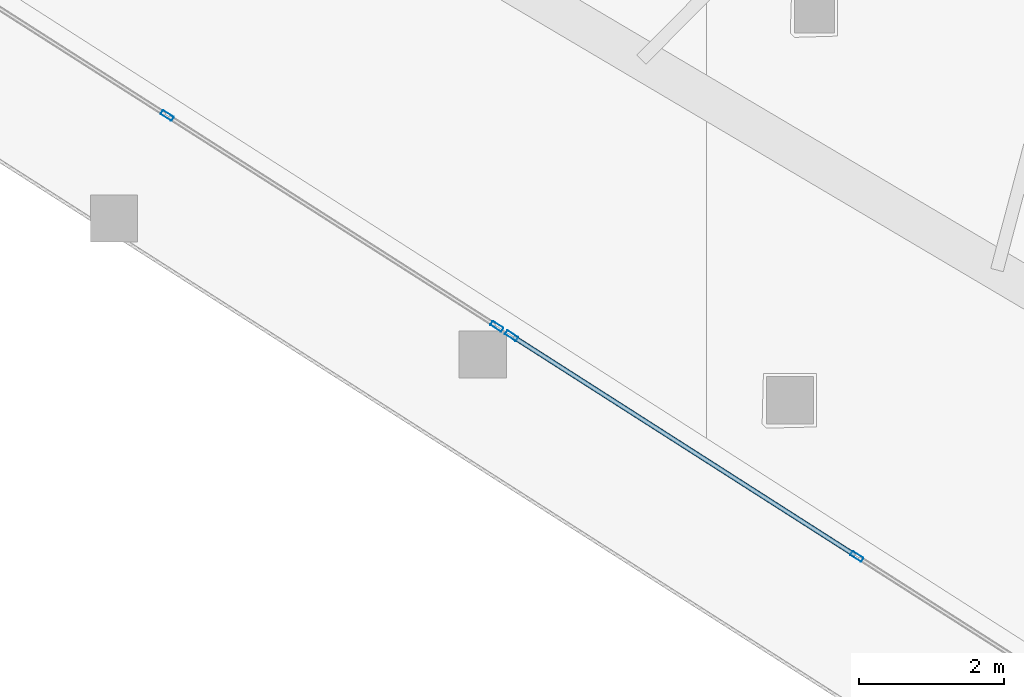
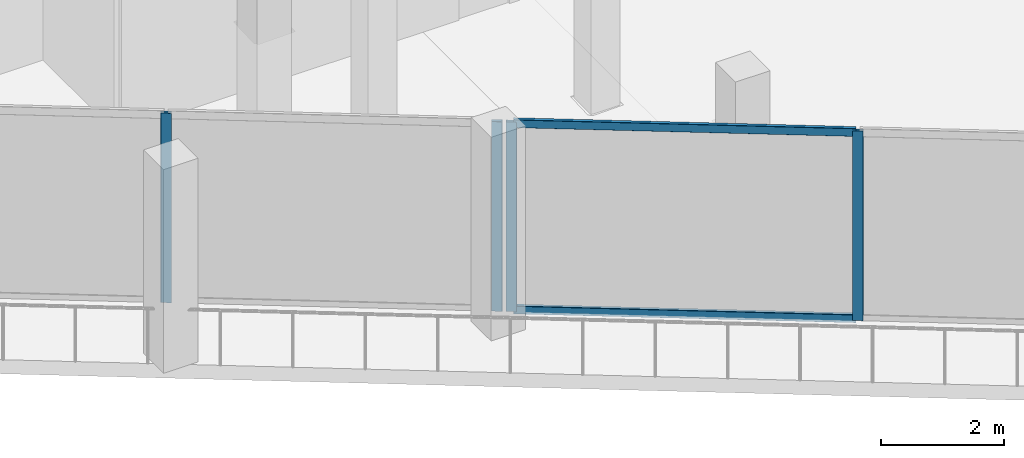
# One storey, part 2 of 42: 6 members, 2 elements without a shape of their own.
"""IFC4 building model written with IfcOpenShell, lengths in metres."""

import ifcopenshell
import ifcopenshell.guid

model = None  # the IFC model being written
_history = None  # IfcOwnerHistory: only IFC2X3 demands one
_inside = {}  # id of a spatial element -> (the spatial element, [elements in it])
_under = {}  # id of a project, library or spatial element -> (it, [spatial elements below it])
_declared = {}  # id of a project -> (the project, [libraries it declares])
_typed = {}  # id of a type object -> (the type object, [elements of that type])
_made_of = {}  # id of a material, layer set ... -> (it, [elements and type objects made of it])


def new_model(schema):
    """Start an empty IFC model of exactly this schema.

    Asked for "IFC4X3", IfcOpenShell would pick the latest addendum, in which some entities
    have other attributes; the version numbers below select the first issue.
    IFC2X3 requires an IfcOwnerHistory on every rooted entity: one is made here for all.
    """
    global model, _history
    if schema == "IFC4X3":
        model = ifcopenshell.file(schema_version=(4, 3, 0, 0))
    else:
        model = ifcopenshell.file(schema=schema)
    _inside.clear()
    _under.clear()
    _declared.clear()
    _typed.clear()
    _made_of.clear()
    _history = None
    if model.schema == "IFC2X3":
        org = make("IfcOrganization", Name="unknown")
        user = make(
            "IfcPersonAndOrganization",
            ThePerson=make("IfcPerson", FamilyName="unknown"),
            TheOrganization=org,
        )
        app = make(
            "IfcApplication",
            ApplicationDeveloper=org,
            Version="unknown",
            ApplicationFullName="unknown",
            ApplicationIdentifier="unknown",
        )
        _history = make(
            "IfcOwnerHistory",
            OwningUser=user,
            OwningApplication=app,
            ChangeAction="ADDED",
            CreationDate=0,
        )
    return model


def make(cls, **values):
    """One entity of the class cls with the attributes given. An attribute that is None is left unset."""
    return model.create_entity(
        cls, **{name: value for name, value in values.items() if value is not None}
    )


def rooted(cls, **values):
    """An entity with a GlobalId (a new one), such as an element, a storey or a relation."""
    return make(cls, GlobalId=ifcopenshell.guid.new(), OwnerHistory=_history, **values)


def si_unit(unit_type, name, prefix=None):
    """IfcSIUnit, for example si_unit("LENGTHUNIT", "METRE", prefix="MILLI")."""
    return make("IfcSIUnit", UnitType=unit_type, Prefix=prefix, Name=name)


def assignment(units):
    """IfcUnitAssignment: the units of a project."""
    return None if units is None else make("IfcUnitAssignment", Units=units)


def point(xyz):
    """IfcCartesianPoint."""
    return None if xyz is None else make("IfcCartesianPoint", Coordinates=xyz)


def direction(xyz):
    """IfcDirection."""
    return None if xyz is None else make("IfcDirection", DirectionRatios=xyz)


def frame(location, z_axis=None, x_axis=None):
    """IfcAxis2Placement3D, a coordinate frame: its origin and axes. An axis left out is left unset."""
    return make(
        "IfcAxis2Placement3D",
        Location=point(location),
        Axis=direction(z_axis),
        RefDirection=direction(x_axis),
    )


def frame_2d(location, x_axis=None):
    """IfcAxis2Placement2D, a coordinate frame in the plane: its origin and x axis."""
    return make(
        "IfcAxis2Placement2D", Location=point(location), RefDirection=direction(x_axis)
    )


def origin():
    """The frame at (0, 0, 0) with its axes left unset."""
    return frame((0.0, 0.0, 0.0))


def origin_2d():
    """The frame at (0, 0) in the plane with its x axis left unset."""
    return frame_2d((0.0, 0.0))


def place(relative_to, where):
    """IfcLocalPlacement: puts the frame where relative to a parent placement (None: the world)."""
    return make(
        "IfcLocalPlacement", PlacementRelTo=relative_to, RelativePlacement=where
    )


def context(
    kind, dimensions, precision=None, world=None, true_north=None, identifier=None
):
    """IfcGeometricRepresentationContext, for example the 3D "Model" context."""
    return make(
        "IfcGeometricRepresentationContext",
        ContextIdentifier=identifier,
        ContextType=kind,
        CoordinateSpaceDimension=dimensions,
        Precision=precision,
        WorldCoordinateSystem=world,
        TrueNorth=true_north,
    )


def subcontext(parent, identifier, kind, view, scale=None):
    """IfcGeometricRepresentationSubContext, for example "Body" below "Model"."""
    return make(
        "IfcGeometricRepresentationSubContext",
        ContextIdentifier=identifier,
        ContextType=kind,
        ParentContext=parent,
        TargetScale=scale,
        TargetView=view,
    )


def project(units=None, contexts=None):
    """IfcProject with its units and contexts."""
    return rooted(
        "IfcProject",
        Name="project",
        RepresentationContexts=contexts,
        UnitsInContext=assignment(units),
    )


def spatial(cls, under=None, at=None, **own):
    """A site, building, storey or space (cls), placed at a placement, below another one or the project."""
    s = rooted(cls, ObjectPlacement=at, **own)
    if under is not None:
        _under.setdefault(under.id(), (under, []))[1].append(s)
    return s


def profile(cls, at=None, kind="AREA", **sizes):
    """A parametric profile (cls). Its sizes go by their IFC names, for example OverallWidth=200.0."""
    return make(cls, ProfileType=kind, Position=at, **sizes)


def hollow_rectangle(**sizes):
    """IfcRectangleHollowProfileDef."""
    return profile("IfcRectangleHollowProfileDef", **sizes)


def extrude(swept, where, along, depth):
    """IfcExtrudedAreaSolid: the profile swept, set in the frame where, extruded along a direction by depth."""
    return make(
        "IfcExtrudedAreaSolid",
        SweptArea=swept,
        Position=where,
        ExtrudedDirection=direction(along),
        Depth=depth,
    )


def shape(context_of_items, identifier, shape_type, items):
    """IfcShapeRepresentation: the items that make up one representation, for example the "Body"."""
    return make(
        "IfcShapeRepresentation",
        ContextOfItems=context_of_items,
        RepresentationIdentifier=identifier,
        RepresentationType=shape_type,
        Items=items,
    )


def material(Name=None, Category=None):
    """IfcMaterial."""
    return make("IfcMaterial", Name=Name, Category=Category)


def layer(
    of_material, thickness, ventilated=None, Name=None, Category=None, Priority=None
):
    """IfcMaterialLayer: one layer of a wall or slab, of a material (None: an air gap)."""
    return make(
        "IfcMaterialLayer",
        Material=of_material,
        LayerThickness=thickness,
        IsVentilated=ventilated,
        Name=Name,
        Category=Category,
        Priority=Priority,
    )


def layer_set(layers, Name=None):
    """IfcMaterialLayerSet."""
    return make("IfcMaterialLayerSet", MaterialLayers=layers, LayerSetName=Name)


def material_profile(
    of_material, cross_section, Name=None, Category=None, Priority=None
):
    """IfcMaterialProfile: a cross section and its material."""
    return make(
        "IfcMaterialProfile",
        Name=Name,
        Material=of_material,
        Profile=cross_section,
        Priority=Priority,
        Category=Category,
    )


def profile_set(profiles, Name=None, composite=None):
    """IfcMaterialProfileSet."""
    return make(
        "IfcMaterialProfileSet",
        Name=Name,
        MaterialProfiles=profiles,
        CompositeProfile=composite,
    )


def made_of(thing, what):
    """Note that an element or type object is made of a material, layer set ...; save() writes the relation."""
    if what is not None:
        _made_of.setdefault(what.id(), (what, []))[1].append(thing)
    return thing


def type_object(cls, material=None, **own):
    """A type object (cls), such as IfcWallType, which elements share."""
    return made_of(rooted(cls, **own), material)


def element(
    cls,
    number,
    at=None,
    inside=None,
    cuts=None,
    type_object=None,
    material=None,
    context=None,
    identifier="Body",
    shape_type=None,
    held_by="IfcProductDefinitionShape",
    body=None,
    shapes=None,
    **own,
):
    """One element of the class cls, such as IfcWall. Its Tag is "e" and its number.

    at: its placement. inside: the storey or other place that contains it. cuts: it is an
    opening in that element (IfcRelVoidsElement). A single representation is given by context,
    identifier, shape_type and body (its items); several are given by shapes. held_by: the class
    of the entity that holds the representations. save() writes the other relations.
    """
    e = rooted(cls, Tag="e%d" % number, ObjectPlacement=at, **own)
    if body is not None:
        shapes = [shape(context, identifier, shape_type, body)]
    if shapes is not None:
        e.Representation = make(held_by, Representations=shapes)
    if inside is not None:
        _inside.setdefault(inside.id(), (inside, []))[1].append(e)
    if cuts is not None:
        rooted(
            "IfcRelVoidsElement", RelatingBuildingElement=cuts, RelatedOpeningElement=e
        )
    if type_object is not None:
        _typed.setdefault(type_object.id(), (type_object, []))[1].append(e)
    return made_of(e, material)


def aggregate(whole, parts):
    """IfcRelAggregates: a whole, such as a stair, and the parts it consists of."""
    return rooted("IfcRelAggregates", RelatingObject=whole, RelatedObjects=parts)


def save(model, path):
    """Write the relations noted so far, then the file.

    IfcRelAggregates (storeys below a building ...), IfcRelContainedInSpatialStructure (elements
    in a storey), IfcRelDefinesByType, IfcRelAssociatesMaterial and IfcRelDeclares: one each for
    every whole, place, type object, material and project.
    """
    for whole, parts in _under.values():
        aggregate(whole, parts)
    for where, things in _inside.values():
        rooted(
            "IfcRelContainedInSpatialStructure",
            RelatedElements=things,
            RelatingStructure=where,
        )
    for kind, things in _typed.values():
        rooted("IfcRelDefinesByType", RelatedObjects=things, RelatingType=kind)
    for what, things in _made_of.values():
        rooted("IfcRelAssociatesMaterial", RelatedObjects=things, RelatingMaterial=what)
    for by, libraries in _declared.values():
        rooted("IfcRelDeclares", RelatingContext=by, RelatedDefinitions=libraries)
    model.write(path)


model = new_model("IFC4")

# Units and contexts
model_context = context("Model", 3, precision=1e-05, world=origin(), true_north=direction((0.0, 1.0)))
body_context = subcontext(model_context, "Body", "Model", "MODEL_VIEW")
ifc_project = project(units=[si_unit("LENGTHUNIT", "METRE"), si_unit("AREAUNIT", "SQUARE_METRE"), si_unit("VOLUMEUNIT", "CUBIC_METRE"), si_unit("PLANEANGLEUNIT", "RADIAN"), si_unit("MASSUNIT", "GRAM", prefix="KILO")], contexts=[model_context])

# Site, building, storey
site_placement = place(None, origin())
site = spatial("IfcSite", under=ifc_project, at=site_placement, CompositionType="ELEMENT")
building_placement = place(site_placement, origin())
building = spatial("IfcBuilding", under=site, at=building_placement, Name="Qorvath Tower", CompositionType="ELEMENT")
storey_placement = place(building_placement, frame((0.0, 0.0, 121.949951171875)))
storey = spatial("IfcBuildingStorey", under=building, at=storey_placement, Name="L27", CompositionType="ELEMENT", Elevation=121.949951171875)

# Curtain wall, members
ifc_material_1 = material(Name="Anodised aluminium and triple low-E glass", Category="aluminium")
ifc_layer = layer(ifc_material_1, 0.179931640625)
ifc_layer_set = layer_set([ifc_layer], Name="CW-SYS-2")
curtain_wall_type = type_object("IfcCurtainWallType", Name="CW-SYS-2", PredefinedType="NOTDEFINED", material=ifc_layer_set)
curtain_wall_1_placement = place(storey_placement, origin())
curtain_wall_1 = element("IfcCurtainWall", 1, at=curtain_wall_1_placement, inside=storey, type_object=curtain_wall_type, Name="Curtain Wall CW-2 CW-T-L27-2.1", PredefinedType="NOTDEFINED")
ifc_material_2 = material(Name="Anodised aluminium 6063-T6", Category="aluminium")
ifc_material_profile_1 = material_profile(ifc_material_2, hollow_rectangle(XDim=0.06494140625, YDim=0.179931640625, WallThickness=0.00341796875, InnerFilletRadius=0.00341796875, OuterFilletRadius=0.007080078125, at=origin_2d()), Name="CWM 180x65")
ifc_profile_set_1 = profile_set([ifc_material_profile_1], Name="Anodised aluminium 6063-T6")
member_type_1 = type_object("IfcMemberType", Name="CWM-180", PredefinedType="MULLION", material=ifc_profile_set_1)
member_1_placement = place(storey_placement, frame((-39.60107421875, -15.537109375, 0.0), z_axis=(0.0, 0.0, 1.0), x_axis=(0.538534177075, 0.842603667285, 0.0)))
member_1 = element("IfcMember", 2, at=member_1_placement, type_object=member_type_1, Name="CW-2 mullion 5", PredefinedType="MULLION", context=body_context, shape_type="SweptSolid", body=[
    extrude(hollow_rectangle(XDim=0.06494140625, YDim=0.179931640625, WallThickness=0.00341796875, InnerFilletRadius=0.00341796875, OuterFilletRadius=0.007080078125, at=origin_2d()), origin(), (0.0, 0.0, 1.0), 3.77001953125),
])
member_2_placement = place(storey_placement, frame((-35.056396484375, -18.441650390625, 0.0), z_axis=(0.0, 0.0, 1.0), x_axis=(0.538534177075, 0.842603667285, 0.0)))
member_2 = element("IfcMember", 3, at=member_2_placement, type_object=member_type_1, Name="CW-2 mullion 6", PredefinedType="MULLION", context=body_context, shape_type="SweptSolid", body=[
    extrude(hollow_rectangle(XDim=0.06494140625, YDim=0.179931640625, WallThickness=0.00341796875, InnerFilletRadius=0.00341796875, OuterFilletRadius=0.007080078125, at=origin_2d()), origin(), (0.0, 0.0, 1.0), 3.77001953125),
])
aggregate(curtain_wall_1, [member_1, member_2])

curtain_wall_2_placement = place(storey_placement, origin())
curtain_wall_2 = element("IfcCurtainWall", 4, at=curtain_wall_2_placement, inside=storey, type_object=curtain_wall_type, Name="Curtain Wall CW-2 CW-T-L27-2.2", PredefinedType="NOTDEFINED")
member_3_placement = place(storey_placement, frame((-34.854248046875, -18.571044921875, 0.0), z_axis=(0.0, 0.0, 1.0), x_axis=(0.538536165559, 0.84260239638, 0.0)))
member_3 = element("IfcMember", 5, at=member_3_placement, type_object=member_type_1, Name="CW-2 mullion 1", PredefinedType="MULLION", context=body_context, shape_type="SweptSolid", body=[
    extrude(hollow_rectangle(XDim=0.06494140625, YDim=0.179931640625, WallThickness=0.00341796875, InnerFilletRadius=0.00341796875, OuterFilletRadius=0.007080078125, at=origin_2d()), origin(), (0.0, 0.0, 1.0), 3.77001953125),
])
member_4_placement = place(storey_placement, frame((-30.095458984375, -21.612548828125, 0.0), z_axis=(0.0, 0.0, 1.0), x_axis=(0.538536165559, 0.84260239638, 0.0)))
member_4 = element("IfcMember", 6, at=member_4_placement, type_object=member_type_1, Name="CW-2 mullion 2", PredefinedType="MULLION", context=body_context, shape_type="SweptSolid", body=[
    extrude(hollow_rectangle(XDim=0.06494140625, YDim=0.179931640625, WallThickness=0.00341796875, InnerFilletRadius=0.00341796875, OuterFilletRadius=0.007080078125, at=origin_2d()), origin(), (0.0, 0.0, 1.0), 3.77001953125),
])
ifc_material_3 = material(Name="Anodised aluminium 6063-T6", Category="aluminium")
ifc_material_profile_2 = material_profile(ifc_material_3, hollow_rectangle(XDim=0.06494140625, YDim=0.159912109375, WallThickness=0.00341796875, InnerFilletRadius=0.00341796875, OuterFilletRadius=0.007080078125, at=origin_2d()), Name="CWT 160x65")
ifc_profile_set_2 = profile_set([ifc_material_profile_2], Name="Anodised aluminium 6063-T6")
member_type_2 = type_object("IfcMemberType", Name="CWT-160", PredefinedType="USERDEFINED", material=ifc_profile_set_2)
member_5_placement = place(storey_placement, frame((-34.826904296875, -18.588623046875, 0.032470703125), z_axis=(0.842619091968, -0.538510042479, 0.0), x_axis=(0.538510042479, 0.842619091968, 0.0)))
member_5 = element("IfcMember", 7, at=member_5_placement, type_object=member_type_2, Name="CW-2 transom 1.1", ObjectType="TRANSOM", PredefinedType="USERDEFINED", context=body_context, shape_type="SweptSolid", body=[
    extrude(hollow_rectangle(XDim=0.06494140625, YDim=0.159912109375, WallThickness=0.00341796875, InnerFilletRadius=0.00341796875, OuterFilletRadius=0.007080078125, at=origin_2d()), origin(), (0.0, 0.0, 1.0), 5.582763671875),
])
member_6_placement = place(storey_placement, frame((-34.826904296875, -18.588623046875, 3.737548828125), z_axis=(0.842619091968, -0.538510042479, 0.0), x_axis=(0.538510042479, 0.842619091968, 0.0)))
member_6 = element("IfcMember", 8, at=member_6_placement, type_object=member_type_2, Name="CW-2 transom 1.2", ObjectType="TRANSOM", PredefinedType="USERDEFINED", context=body_context, shape_type="SweptSolid", body=[
    extrude(hollow_rectangle(XDim=0.06494140625, YDim=0.159912109375, WallThickness=0.00341796875, InnerFilletRadius=0.00341796875, OuterFilletRadius=0.007080078125, at=origin_2d()), origin(), (0.0, 0.0, 1.0), 5.582763671875),
])
aggregate(curtain_wall_2, [member_3, member_4, member_5, member_6])

save(model, "model.ifc")
